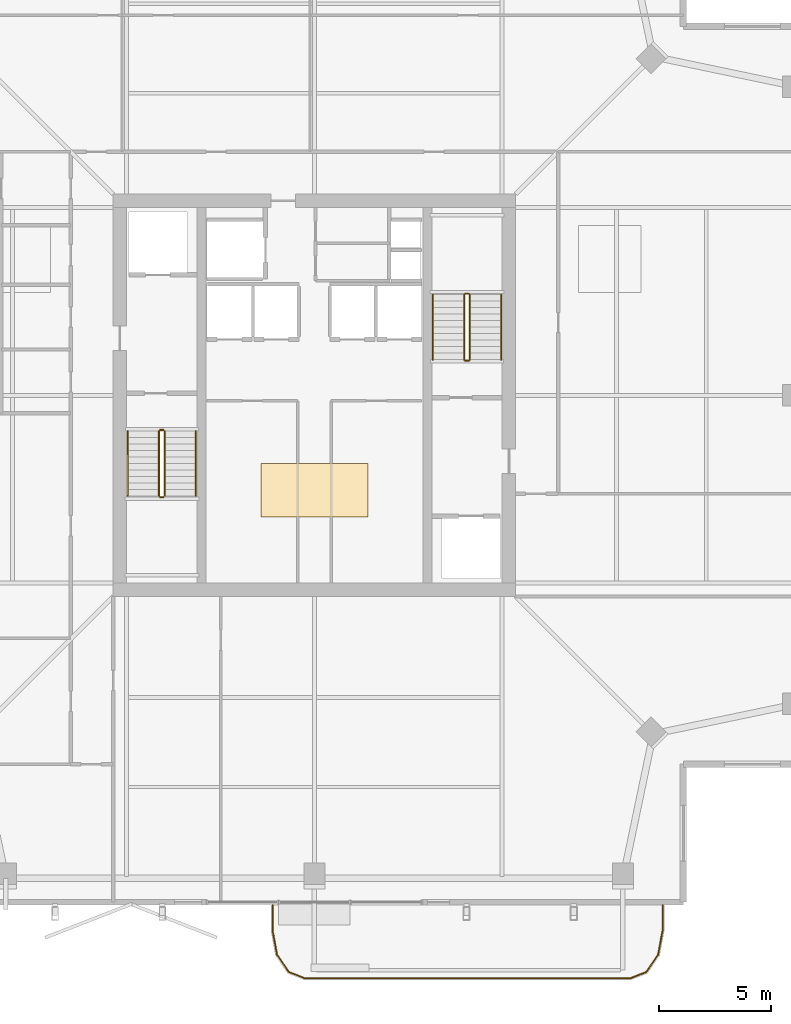
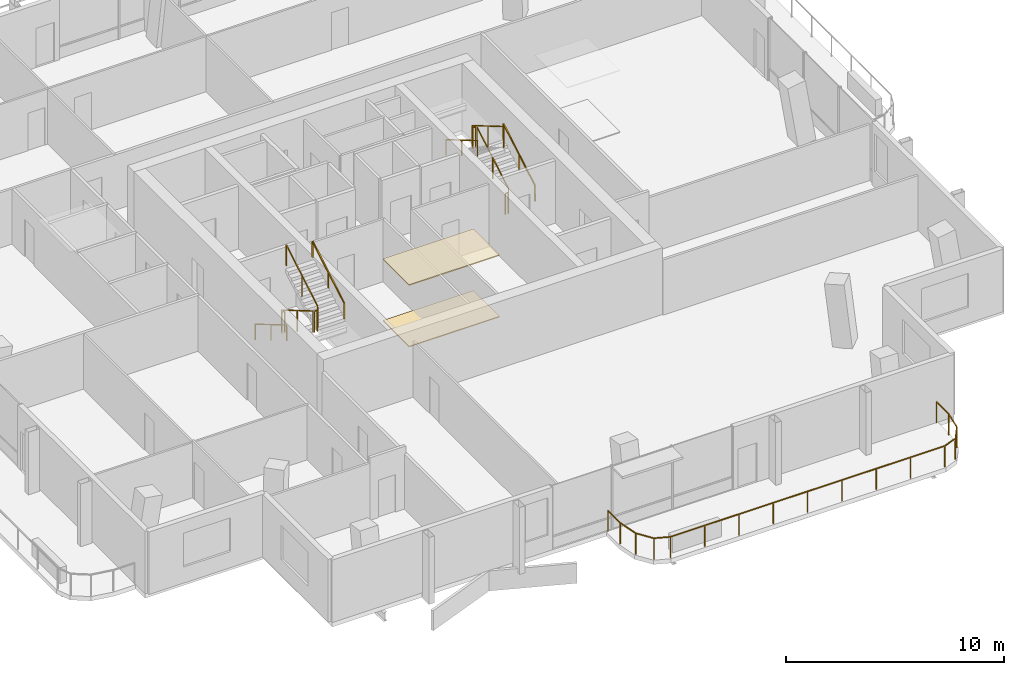
# One storey, part 19 of 20: 13 railings, 2 coverings.
"""IFC4 building model written with IfcOpenShell, lengths in metres."""

from ifc_helpers import new_model, si_unit, direction, frame, origin, origin_2d, place, context, subcontext, project, spatial, polyline, rectangle, outline, extrude, material, layer, layer_set, type_object, element, save


model = new_model("IFC4")

# Units and contexts
model_context = context("Model", 3, precision=1e-05, world=origin(), true_north=direction((0.0, 1.0)))
body_context = subcontext(model_context, "Body", "Model", "MODEL_VIEW")
ifc_project = project(units=[si_unit("LENGTHUNIT", "METRE"), si_unit("AREAUNIT", "SQUARE_METRE"), si_unit("VOLUMEUNIT", "CUBIC_METRE"), si_unit("PLANEANGLEUNIT", "RADIAN"), si_unit("MASSUNIT", "GRAM", prefix="KILO")], contexts=[model_context])

# Site, building, storey
site_placement = place(None, origin())
site = spatial("IfcSite", under=ifc_project, at=site_placement, CompositionType="ELEMENT")
building_placement = place(site_placement, origin())
building = spatial("IfcBuilding", under=site, at=building_placement, Name="Belovzor Exchange Tower", CompositionType="ELEMENT")
storey_placement = place(building_placement, frame((0.0, 0.0, 329.25)))
storey = spatial("IfcBuildingStorey", under=building, at=storey_placement, Name="L82", CompositionType="ELEMENT", Elevation=329.25)

# Railings
ifc_material_1 = material(Name="Stainless Steel Grade 304", Category="steel")
railing_type_1 = type_object("IfcRailingType", Name="Brushed Stainless Steel Stair Handrail 900", PredefinedType="HANDRAIL", material=ifc_material_1)
railing_1_placement = place(storey_placement, frame((20.449951171875, 27.199951171875, 0.17041015625)))
element("IfcRailing", 1, at=railing_1_placement, inside=storey, type_object=railing_type_1, Name="L82 ST-1 stair handrail 1", PredefinedType="HANDRAIL", context=body_context, shape_type="SweptSolid", body=[
    extrude(rectangle(XDim=0.048095703125, YDim=0.048095703125, at=origin_2d()), frame((0.0, 0.0, 0.8759765625), z_axis=(0.0, -0.86209462966, 0.506747323142), x_axis=(1.0, 0.0, 0.0)), (0.0, 0.0, 1.0), 3.36376953125),
    extrude(rectangle(XDim=0.0419921875, YDim=0.0419921875, at=origin_2d()), origin(), (0.0, 0.0, 1.0), 0.851806640625),
    extrude(rectangle(XDim=0.0419921875, YDim=0.0419921875, at=origin_2d()), frame((0.0, -1.449951171875, 0.852294921875)), (0.0, 0.0, 1.0), 0.851806640625),
    extrude(rectangle(XDim=0.0419921875, YDim=0.0419921875, at=origin_2d()), frame((0.0, -2.89990234375, 1.70458984375)), (0.0, 0.0, 1.0), 0.851806640625),
])
railing_2_placement = place(storey_placement, frame((23.5, 24.300048828125, 2.04541015625)))
element("IfcRailing", 2, at=railing_2_placement, inside=storey, type_object=railing_type_1, Name="L82 ST-1 stair handrail 2", PredefinedType="HANDRAIL", context=body_context, shape_type="SweptSolid", body=[
    extrude(rectangle(XDim=0.048095703125, YDim=0.048095703125, at=origin_2d()), frame((0.0, 0.0, 0.8759765625), z_axis=(0.0, 0.86209462966, 0.506747323142), x_axis=(-1.0, 0.0, 0.0)), (0.0, 0.0, 1.0), 3.36376953125),
    extrude(rectangle(XDim=0.0419921875, YDim=0.0419921875, at=origin_2d()), origin(), (0.0, 0.0, 1.0), 0.851806640625),
    extrude(rectangle(XDim=0.0419921875, YDim=0.0419921875, at=origin_2d()), frame((0.0, 1.449951171875, 0.852294921875)), (0.0, 0.0, 1.0), 0.851806640625),
    extrude(rectangle(XDim=0.0419921875, YDim=0.0419921875, at=origin_2d()), frame((0.0, 2.89990234375, 1.70458984375)), (0.0, 0.0, 1.0), 0.851806640625),
])
railing_3_placement = place(storey_placement, frame((37.14990234375, 30.39990234375, 0.17041015625)))
element("IfcRailing", 3, at=railing_3_placement, inside=storey, type_object=railing_type_1, Name="L82 ST-2 stair handrail 1", PredefinedType="HANDRAIL", context=body_context, shape_type="SweptSolid", body=[
    extrude(rectangle(XDim=0.048095703125, YDim=0.048095703125, at=origin_2d()), frame((0.0, 0.0, 0.8759765625), z_axis=(0.0, 0.862113265706, 0.506715617574), x_axis=(-1.0, 0.0, 0.0)), (0.0, 0.0, 1.0), 3.364013671875),
    extrude(rectangle(XDim=0.0419921875, YDim=0.0419921875, at=origin_2d()), origin(), (0.0, 0.0, 1.0), 0.851806640625),
    extrude(rectangle(XDim=0.0419921875, YDim=0.0419921875, at=origin_2d()), frame((0.0, 1.4501953125, 0.852294921875)), (0.0, 0.0, 1.0), 0.851806640625),
    extrude(rectangle(XDim=0.0419921875, YDim=0.0419921875, at=origin_2d()), frame((0.0, 2.900146484375, 1.70458984375)), (0.0, 0.0, 1.0), 0.851806640625),
])
railing_4_placement = place(storey_placement, frame((34.10009765625, 33.300048828125, 2.04541015625)))
element("IfcRailing", 4, at=railing_4_placement, inside=storey, type_object=railing_type_1, Name="L82 ST-2 stair handrail 2", PredefinedType="HANDRAIL", context=body_context, shape_type="SweptSolid", body=[
    extrude(rectangle(XDim=0.048095703125, YDim=0.048095703125, at=origin_2d()), frame((0.0, 0.0, 0.8759765625), z_axis=(0.0, -0.862113265706, 0.506715617574), x_axis=(1.0, 0.0, 0.0)), (0.0, 0.0, 1.0), 3.364013671875),
    extrude(rectangle(XDim=0.0419921875, YDim=0.0419921875, at=origin_2d()), origin(), (0.0, 0.0, 1.0), 0.851806640625),
    extrude(rectangle(XDim=0.0419921875, YDim=0.0419921875, at=origin_2d()), frame((0.0, -1.4501953125, 0.852294921875)), (0.0, 0.0, 1.0), 0.851806640625),
    extrude(rectangle(XDim=0.0419921875, YDim=0.0419921875, at=origin_2d()), frame((0.0, -2.900146484375, 1.70458984375)), (0.0, 0.0, 1.0), 0.851806640625),
])
ifc_material_2 = material(Name="Stainless Steel and Laminated Safety Glass", Category="steel")
railing_type_2 = type_object("IfcRailingType", Name="Laminated Glass & Stainless Steel Balcony Balustrade 1200", PredefinedType="BALUSTRADE", material=ifc_material_2)
railing_5_placement = place(storey_placement, frame((26.929931640625, 5.989990234375, 0.0)))
element("IfcRailing", 5, at=railing_5_placement, inside=storey, type_object=railing_type_2, Name="GR-1 Balcony Balustrade L82 South", PredefinedType="BALUSTRADE", context=body_context, shape_type="SweptSolid", body=[
    extrude(rectangle(XDim=0.048095703125, YDim=0.048095703125, at=origin_2d()), frame((0.0, 0.0, 1.17578125), z_axis=(0.0, -1.0, 0.0), x_axis=(1.0, 0.0, 0.0)), (0.0, 0.0, 1.0), 1.133056640625),
    extrude(rectangle(XDim=0.048095703125, YDim=0.048095703125, at=origin_2d()), frame((0.0, -1.133056640625, 1.17578125), z_axis=(0.180122719713, -0.983644145941, 0.0), x_axis=(0.983644145941, 0.180122719713, 0.0)), (0.0, 0.0, 1.0), 1.09375),
    extrude(rectangle(XDim=0.048095703125, YDim=0.048095703125, at=origin_2d()), frame((0.197021484375, -2.208984375, 1.17578125), z_axis=(0.56294695933, -0.826493025367, 0.0), x_axis=(0.826493025367, 0.56294695933, 0.0)), (0.0, 0.0, 1.0), 0.932861328125),
    extrude(rectangle(XDim=0.048095703125, YDim=0.048095703125, at=origin_2d()), frame((0.72216796875, -2.97998046875, 1.17578125), z_axis=(0.930766990125, -0.365612923861, 0.0), x_axis=(0.365612923861, 0.930766990125, 0.0)), (0.0, 0.0, 1.0), 0.765869140625),
    extrude(rectangle(XDim=0.048095703125, YDim=0.048095703125, at=origin_2d()), frame((1.43505859375, -3.260009765625, 1.17578125), z_axis=(1.0, 0.0, 0.0), x_axis=(0.0, 1.0, 0.0)), (0.0, 0.0, 1.0), 14.570068359375),
    extrude(rectangle(XDim=0.048095703125, YDim=0.048095703125, at=origin_2d()), frame((16.005126953125, -3.260009765625, 1.17578125), z_axis=(0.930766990125, 0.365612923861, 0.0), x_axis=(-0.365612923861, 0.930766990125, 0.0)), (0.0, 0.0, 1.0), 0.765869140625),
    extrude(rectangle(XDim=0.048095703125, YDim=0.048095703125, at=origin_2d()), frame((16.718017578125, -2.97998046875, 1.17578125), z_axis=(0.56294695933, 0.826493025367, 0.0), x_axis=(-0.826493025367, 0.56294695933, 0.0)), (0.0, 0.0, 1.0), 0.932861328125),
    extrude(rectangle(XDim=0.048095703125, YDim=0.048095703125, at=origin_2d()), frame((17.2431640625, -2.208984375, 1.17578125), z_axis=(0.180122719713, 0.983644145941, 0.0), x_axis=(-0.983644145941, 0.180122719713, 0.0)), (0.0, 0.0, 1.0), 1.09375),
    extrude(rectangle(XDim=0.048095703125, YDim=0.048095703125, at=origin_2d()), frame((17.440185546875, -1.133056640625, 1.17578125), z_axis=(0.0, 1.0, 0.0), x_axis=(-1.0, 0.0, 0.0)), (0.0, 0.0, 1.0), 1.133056640625),
    extrude(rectangle(XDim=0.0419921875, YDim=0.0419921875, at=origin_2d()), origin(), (0.0, 0.0, 1.0), 1.15185546875),
    extrude(rectangle(XDim=0.0419921875, YDim=0.0419921875, at=origin_2d()), frame((0.0, -1.133056640625, 0.0)), (0.0, 0.0, 1.0), 1.15185546875),
    extrude(rectangle(XDim=0.0419921875, YDim=0.0419921875, at=origin_2d()), frame((0.197021484375, -2.208984375, 0.0)), (0.0, 0.0, 1.0), 1.15185546875),
    extrude(rectangle(XDim=0.0419921875, YDim=0.0419921875, at=origin_2d()), frame((0.72216796875, -2.97998046875, 0.0)), (0.0, 0.0, 1.0), 1.15185546875),
    extrude(rectangle(XDim=0.0419921875, YDim=0.0419921875, at=origin_2d()), frame((1.43505859375, -3.260009765625, 0.0)), (0.0, 0.0, 1.0), 1.15185546875),
    extrude(rectangle(XDim=0.0419921875, YDim=0.0419921875, at=origin_2d()), frame((3.25634765625, -3.260009765625, 0.0)), (0.0, 0.0, 1.0), 1.15185546875),
    extrude(rectangle(XDim=0.0419921875, YDim=0.0419921875, at=origin_2d()), frame((5.07763671875, -3.260009765625, 0.0)), (0.0, 0.0, 1.0), 1.15185546875),
    extrude(rectangle(XDim=0.0419921875, YDim=0.0419921875, at=origin_2d()), frame((6.89892578125, -3.260009765625, 0.0)), (0.0, 0.0, 1.0), 1.15185546875),
    extrude(rectangle(XDim=0.0419921875, YDim=0.0419921875, at=origin_2d()), frame((8.72021484375, -3.260009765625, 0.0)), (0.0, 0.0, 1.0), 1.15185546875),
    extrude(rectangle(XDim=0.0419921875, YDim=0.0419921875, at=origin_2d()), frame((10.541259765625, -3.260009765625, 0.0)), (0.0, 0.0, 1.0), 1.15185546875),
    extrude(rectangle(XDim=0.0419921875, YDim=0.0419921875, at=origin_2d()), frame((12.362548828125, -3.260009765625, 0.0)), (0.0, 0.0, 1.0), 1.15185546875),
    extrude(rectangle(XDim=0.0419921875, YDim=0.0419921875, at=origin_2d()), frame((14.183837890625, -3.260009765625, 0.0)), (0.0, 0.0, 1.0), 1.15185546875),
    extrude(rectangle(XDim=0.0419921875, YDim=0.0419921875, at=origin_2d()), frame((16.005126953125, -3.260009765625, 0.0)), (0.0, 0.0, 1.0), 1.15185546875),
    extrude(rectangle(XDim=0.0419921875, YDim=0.0419921875, at=origin_2d()), frame((16.718017578125, -2.97998046875, 0.0)), (0.0, 0.0, 1.0), 1.15185546875),
    extrude(rectangle(XDim=0.0419921875, YDim=0.0419921875, at=origin_2d()), frame((17.2431640625, -2.208984375, 0.0)), (0.0, 0.0, 1.0), 1.15185546875),
    extrude(rectangle(XDim=0.0419921875, YDim=0.0419921875, at=origin_2d()), frame((17.440185546875, -1.133056640625, 0.0)), (0.0, 0.0, 1.0), 1.15185546875),
    extrude(rectangle(XDim=0.0419921875, YDim=0.0419921875, at=origin_2d()), frame((17.440185546875, 0.0, 0.0)), (0.0, 0.0, 1.0), 1.15185546875),
])
ifc_material_3 = material(Name="Steel S355", Category="steel")
railing_type_3 = type_object("IfcRailingType", Name="Painted Steel Stairwell Guardrail 1200", PredefinedType="GUARDRAIL", material=ifc_material_3)
railing_6_placement = place(storey_placement, frame((21.85009765625, 27.199951171875, 0.17041015625)))
element("IfcRailing", 6, at=railing_6_placement, inside=storey, type_object=railing_type_3, Name="L82 ST-1 stair guard 1", PredefinedType="GUARDRAIL", context=body_context, shape_type="SweptSolid", body=[
    extrude(rectangle(XDim=0.048095703125, YDim=0.048095703125, at=origin_2d()), frame((0.0, 0.0, 1.17578125), z_axis=(0.0, -0.86209462966, 0.506747323142), x_axis=(1.0, 0.0, 0.0)), (0.0, 0.0, 1.0), 3.36376953125),
    extrude(rectangle(XDim=0.0419921875, YDim=0.0419921875, at=origin_2d()), origin(), (0.0, 0.0, 1.0), 1.15185546875),
    extrude(rectangle(XDim=0.0419921875, YDim=0.0419921875, at=origin_2d()), frame((0.0, -1.449951171875, 0.852294921875)), (0.0, 0.0, 1.0), 1.15185546875),
    extrude(rectangle(XDim=0.0419921875, YDim=0.0419921875, at=origin_2d()), frame((0.0, -2.89990234375, 1.70458984375)), (0.0, 0.0, 1.0), 1.15185546875),
])
railing_7_placement = place(storey_placement, frame((21.89990234375, 24.25, 1.875)))
element("IfcRailing", 7, at=railing_7_placement, inside=storey, type_object=railing_type_3, Name="L82 ST-1 stair guard 2", PredefinedType="GUARDRAIL", context=body_context, shape_type="SweptSolid", body=[
    extrude(rectangle(XDim=0.048095703125, YDim=0.048095703125, at=origin_2d()), frame((0.0, 0.0, 1.17578125), z_axis=(1.0, 0.0, 0.0), x_axis=(0.0, 1.0, 0.0)), (0.0, 0.0, 1.0), 0.150146484375),
    extrude(rectangle(XDim=0.0419921875, YDim=0.0419921875, at=origin_2d()), origin(), (0.0, 0.0, 1.0), 1.15185546875),
    extrude(rectangle(XDim=0.0419921875, YDim=0.0419921875, at=origin_2d()), frame((0.150146484375, 0.0, 0.0)), (0.0, 0.0, 1.0), 1.15185546875),
])
railing_8_placement = place(storey_placement, frame((22.10009765625, 24.300048828125, 2.04541015625)))
element("IfcRailing", 8, at=railing_8_placement, inside=storey, type_object=railing_type_3, Name="L82 ST-1 stair guard 3", PredefinedType="GUARDRAIL", context=body_context, shape_type="SweptSolid", body=[
    extrude(rectangle(XDim=0.048095703125, YDim=0.048095703125, at=origin_2d()), frame((0.0, 0.0, 1.17578125), z_axis=(0.0, 0.86209462966, 0.506747323142), x_axis=(-1.0, 0.0, 0.0)), (0.0, 0.0, 1.0), 3.36376953125),
    extrude(rectangle(XDim=0.0419921875, YDim=0.0419921875, at=origin_2d()), origin(), (0.0, 0.0, 1.0), 1.15185546875),
    extrude(rectangle(XDim=0.0419921875, YDim=0.0419921875, at=origin_2d()), frame((0.0, 1.449951171875, 0.852294921875)), (0.0, 0.0, 1.0), 1.15185546875),
    extrude(rectangle(XDim=0.0419921875, YDim=0.0419921875, at=origin_2d()), frame((0.0, 2.89990234375, 1.70458984375)), (0.0, 0.0, 1.0), 1.15185546875),
])
railing_9_placement = place(storey_placement, frame((21.89990234375, 27.25, 0.0)))
element("IfcRailing", 9, at=railing_9_placement, inside=storey, type_object=railing_type_3, Name="L82 ST-1 stair guard 4", PredefinedType="GUARDRAIL", context=body_context, shape_type="SweptSolid", body=[
    extrude(rectangle(XDim=0.048095703125, YDim=0.048095703125, at=origin_2d()), frame((0.0, 0.0, 1.17578125), z_axis=(1.0, 0.0, 0.0), x_axis=(0.0, 1.0, 0.0)), (0.0, 0.0, 1.0), 0.150146484375),
    extrude(rectangle(XDim=0.0419921875, YDim=0.0419921875, at=origin_2d()), origin(), (0.0, 0.0, 1.0), 1.15185546875),
    extrude(rectangle(XDim=0.0419921875, YDim=0.0419921875, at=origin_2d()), frame((0.150146484375, 0.0, 0.0)), (0.0, 0.0, 1.0), 1.15185546875),
])
railing_10_placement = place(storey_placement, frame((35.75, 30.39990234375, 0.17041015625)))
element("IfcRailing", 10, at=railing_10_placement, inside=storey, type_object=railing_type_3, Name="L82 ST-2 stair guard 1", PredefinedType="GUARDRAIL", context=body_context, shape_type="SweptSolid", body=[
    extrude(rectangle(XDim=0.048095703125, YDim=0.048095703125, at=origin_2d()), frame((0.0, 0.0, 1.17578125), z_axis=(0.0, 0.862113265706, 0.506715617574), x_axis=(-1.0, 0.0, 0.0)), (0.0, 0.0, 1.0), 3.364013671875),
    extrude(rectangle(XDim=0.0419921875, YDim=0.0419921875, at=origin_2d()), origin(), (0.0, 0.0, 1.0), 1.15185546875),
    extrude(rectangle(XDim=0.0419921875, YDim=0.0419921875, at=origin_2d()), frame((0.0, 1.4501953125, 0.852294921875)), (0.0, 0.0, 1.0), 1.15185546875),
    extrude(rectangle(XDim=0.0419921875, YDim=0.0419921875, at=origin_2d()), frame((0.0, 2.900146484375, 1.70458984375)), (0.0, 0.0, 1.0), 1.15185546875),
])
railing_11_placement = place(storey_placement, frame((35.699951171875, 33.35009765625, 1.875)))
element("IfcRailing", 11, at=railing_11_placement, inside=storey, type_object=railing_type_3, Name="L82 ST-2 stair guard 2", PredefinedType="GUARDRAIL", context=body_context, shape_type="SweptSolid", body=[
    extrude(rectangle(XDim=0.048095703125, YDim=0.048095703125, at=origin_2d()), frame((0.0, 0.0, 1.17578125), z_axis=(-1.0, 0.0, 0.0), x_axis=(0.0, -1.0, 0.0)), (0.0, 0.0, 1.0), 0.14990234375),
    extrude(rectangle(XDim=0.0419921875, YDim=0.0419921875, at=origin_2d()), origin(), (0.0, 0.0, 1.0), 1.15185546875),
    extrude(rectangle(XDim=0.0419921875, YDim=0.0419921875, at=origin_2d()), frame((-0.14990234375, 0.0, 0.0)), (0.0, 0.0, 1.0), 1.15185546875),
])
railing_12_placement = place(storey_placement, frame((35.5, 33.300048828125, 2.04541015625)))
element("IfcRailing", 12, at=railing_12_placement, inside=storey, type_object=railing_type_3, Name="L82 ST-2 stair guard 3", PredefinedType="GUARDRAIL", context=body_context, shape_type="SweptSolid", body=[
    extrude(rectangle(XDim=0.048095703125, YDim=0.048095703125, at=origin_2d()), frame((0.0, 0.0, 1.17578125), z_axis=(0.0, -0.862113265706, 0.506715617574), x_axis=(1.0, 0.0, 0.0)), (0.0, 0.0, 1.0), 3.364013671875),
    extrude(rectangle(XDim=0.0419921875, YDim=0.0419921875, at=origin_2d()), origin(), (0.0, 0.0, 1.0), 1.15185546875),
    extrude(rectangle(XDim=0.0419921875, YDim=0.0419921875, at=origin_2d()), frame((0.0, -1.4501953125, 0.852294921875)), (0.0, 0.0, 1.0), 1.15185546875),
    extrude(rectangle(XDim=0.0419921875, YDim=0.0419921875, at=origin_2d()), frame((0.0, -2.900146484375, 1.70458984375)), (0.0, 0.0, 1.0), 1.15185546875),
])
railing_13_placement = place(storey_placement, frame((35.699951171875, 30.35009765625, 0.0)))
element("IfcRailing", 13, at=railing_13_placement, inside=storey, type_object=railing_type_3, Name="L82 ST-2 stair guard 4", PredefinedType="GUARDRAIL", context=body_context, shape_type="SweptSolid", body=[
    extrude(rectangle(XDim=0.048095703125, YDim=0.048095703125, at=origin_2d()), frame((0.0, 0.0, 1.17578125), z_axis=(-1.0, 0.0, 0.0), x_axis=(0.0, -1.0, 0.0)), (0.0, 0.0, 1.0), 0.14990234375),
    extrude(rectangle(XDim=0.0419921875, YDim=0.0419921875, at=origin_2d()), origin(), (0.0, 0.0, 1.0), 1.15185546875),
    extrude(rectangle(XDim=0.0419921875, YDim=0.0419921875, at=origin_2d()), frame((-0.14990234375, 0.0, 0.0)), (0.0, 0.0, 1.0), 1.15185546875),
])

# Coverings
ifc_material_4 = material(Name="Perforated Powder-Coated Aluminium", Category="aluminium")
ifc_layer_1 = layer(ifc_material_4, 0.06005859375)
ifc_layer_set_1 = layer_set([ifc_layer_1], Name="Perforated Powder-Coated Aluminium")
covering_type_1 = type_object("IfcCoveringType", Name="Perforated Acoustic Metal Tile Suspended Ceiling 60", PredefinedType="CEILING", material=ifc_layer_set_1)
covering_1_placement = place(storey_placement, frame((0.0, 0.0, 3.449951171875)))
element("IfcCovering", 14, at=covering_1_placement, inside=storey, type_object=covering_type_1, Name="CLG-AC60 Suspended Ceiling CLG-L82-LOB", PredefinedType="CEILING", context=body_context, shape_type="SweptSolid", body=[
    extrude(outline(polyline([(26.39990234375, 23.35009765625), (31.199951171875, 23.35009765625), (31.199951171875, 25.75), (26.39990234375, 25.75), (26.39990234375, 23.35009765625)])), origin(), (0.0, 0.0, 1.0), 0.06005859375),
])
ifc_material_5 = material(Name="Polished Natural Granite Tile", Category="masonry")
ifc_layer_2 = layer(ifc_material_5, 0.050048828125)
ifc_layer_set_2 = layer_set([ifc_layer_2], Name="Polished Natural Granite Tile")
covering_type_2 = type_object("IfcCoveringType", Name="Polished Karelian Granite & Raised Access Floor Finish 50", PredefinedType="FLOORING", material=ifc_layer_set_2)
covering_2_placement = place(storey_placement, origin())
element("IfcCovering", 15, at=covering_2_placement, inside=storey, type_object=covering_type_2, Name="FLR-GR50 Floor Finish FLR-L82-LOB", PredefinedType="FLOORING", context=body_context, shape_type="SweptSolid", body=[
    extrude(outline(polyline([(26.39990234375, 23.35009765625), (31.199951171875, 23.35009765625), (31.199951171875, 25.75), (26.39990234375, 25.75), (26.39990234375, 23.35009765625)])), origin(), (0.0, 0.0, 1.0), 0.050048828125),
])

save(model, "model.ifc")
